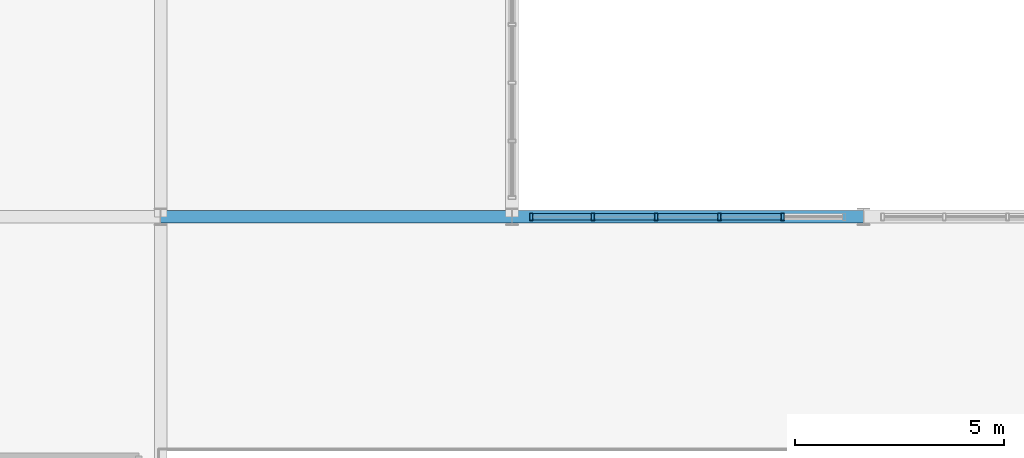
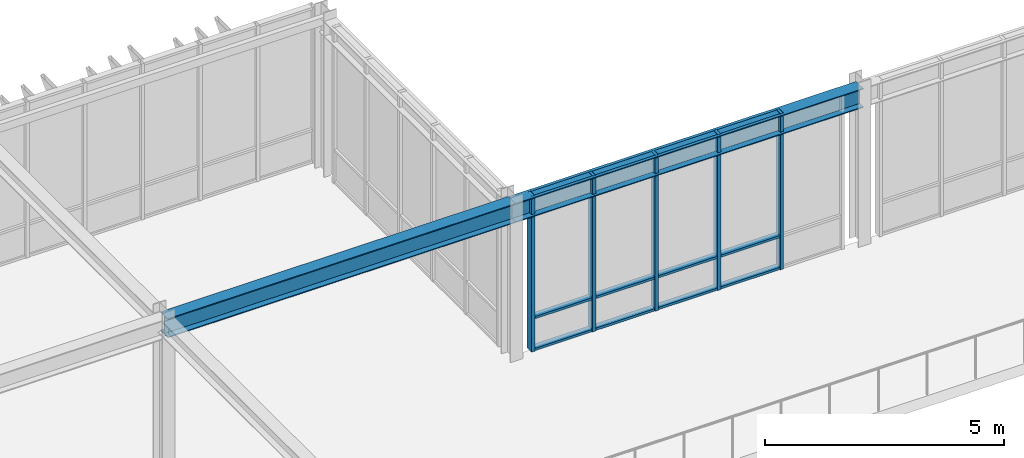
# One storey, part 44 of 123: 17 members, 2 beams, 1 element without a shape of its own.
"""IFC4 building model written with IfcOpenShell, lengths in metres."""

from ifc_helpers import new_model, si_unit, direction, frame, origin, origin_2d, place, context, subcontext, project, spatial, hollow_rectangle, i_section, extrude, material, layer, layer_set, material_profile, profile_set, type_object, element, aggregate, save


model = new_model("IFC4")

# Units and contexts
model_context = context("Model", 3, precision=1e-05, world=origin(), true_north=direction((0.0, 1.0)))
body_context = subcontext(model_context, "Body", "Model", "MODEL_VIEW")
ifc_project = project(units=[si_unit("LENGTHUNIT", "METRE"), si_unit("AREAUNIT", "SQUARE_METRE"), si_unit("VOLUMEUNIT", "CUBIC_METRE"), si_unit("PLANEANGLEUNIT", "RADIAN"), si_unit("MASSUNIT", "GRAM", prefix="KILO")], contexts=[model_context])

# Site, building, storey
site_placement = place(None, origin())
site = spatial("IfcSite", under=ifc_project, at=site_placement, CompositionType="ELEMENT")
building_placement = place(site_placement, origin())
building = spatial("IfcBuilding", under=site, at=building_placement, Name="Zayran Congress Hotel", CompositionType="ELEMENT")
storey_placement = place(building_placement, frame((0.0, 0.0, 15.0)))
storey = spatial("IfcBuildingStorey", under=building, at=storey_placement, Name="L03", CompositionType="ELEMENT", Elevation=15.0)

# Beams
ifc_material_1 = material(Name="Steel S355", Category="steel")
ifc_material_profile_1 = material_profile(ifc_material_1, i_section(OverallWidth=0.300048828125, OverallDepth=0.489990234375, WebThickness=0.011962890625, FlangeThickness=0.02294921875, at=origin_2d()), Name="HEA 500")
ifc_profile_set_1 = profile_set([ifc_material_profile_1], Name="Steel S355")
beam_type = type_object("IfcBeamType", Name="TP-BM-05", PredefinedType="BEAM", material=ifc_profile_set_1)
beam_1_placement = place(storey_placement, frame((25.199951171875, 109.60009765625, 3.735107421875), z_axis=(1.0, 0.0, 0.0), x_axis=(0.0, 1.0, 0.0)))
element("IfcBeam", 1, at=beam_1_placement, inside=storey, type_object=beam_type, Name="BM-V1-L03-0831", PredefinedType="BEAM", context=body_context, shape_type="SweptSolid", body=[
    extrude(i_section(OverallWidth=0.300048828125, OverallDepth=0.489990234375, WebThickness=0.011962890625, FlangeThickness=0.02294921875, at=origin_2d()), origin(), (0.0, 0.0, 1.0), 8.400146484375),
])
beam_2_placement = place(storey_placement, frame((33.60009765625, 109.60009765625, 3.735107421875), z_axis=(1.0, 0.0, 0.0), x_axis=(0.0, 1.0, 0.0)))
element("IfcBeam", 2, at=beam_2_placement, inside=storey, type_object=beam_type, Name="BM-V1-L03-0832", PredefinedType="BEAM", context=body_context, shape_type="SweptSolid", body=[
    extrude(i_section(OverallWidth=0.300048828125, OverallDepth=0.489990234375, WebThickness=0.011962890625, FlangeThickness=0.02294921875, at=origin_2d()), origin(), (0.0, 0.0, 1.0), 8.39990234375),
])

# Curtain wall, members
ifc_material_2 = material(Name="Anodised aluminium and low-E insulated glass", Category="aluminium")
ifc_layer = layer(ifc_material_2, 0.179931640625)
ifc_layer_set = layer_set([ifc_layer], Name="Anodised aluminium and low-E insulated glass")
curtain_wall_type = type_object("IfcCurtainWallType", Name="CW-V1NF-L03-CW-21-7560-3980", PredefinedType="USERDEFINED", material=ifc_layer_set)
curtain_wall_placement = place(storey_placement, origin())
curtain_wall = element("IfcCurtainWall", 3, at=curtain_wall_placement, inside=storey, type_object=curtain_wall_type, Name="CW-V1NF-L03-3", ObjectType="CURTAIN WALL", PredefinedType="USERDEFINED")
ifc_material_3 = material(Name="Anodised aluminium framing", Category="aluminium")
ifc_material_profile_2 = material_profile(ifc_material_3, hollow_rectangle(XDim=0.080078125, YDim=0.179931640625, WallThickness=0.0048828125, at=origin_2d()), Name="RHS 180x80x5")
ifc_profile_set_2 = profile_set([ifc_material_profile_2], Name="Anodised aluminium framing")
member_type_1 = type_object("IfcMemberType", Name="TP-CWM-01", PredefinedType="MULLION", material=ifc_profile_set_2)
member_1_placement = place(storey_placement, frame((40.068115234375, 109.60009765625, 0.0), z_axis=(0.0, 0.0, 1.0), x_axis=(1.0, 0.0, 0.0)))
member_1 = element("IfcMember", 4, at=member_1_placement, type_object=member_type_1, Name="CW-V1NF-L03-3-M01", PredefinedType="MULLION", context=body_context, shape_type="SweptSolid", body=[
    extrude(hollow_rectangle(XDim=0.080078125, YDim=0.179931640625, WallThickness=0.0048828125, at=origin_2d()), origin(), (0.0, 0.0, 1.0), 3.97998046875),
])
member_2_placement = place(storey_placement, frame((38.555908203125, 109.60009765625, 0.0), z_axis=(0.0, 0.0, 1.0), x_axis=(1.0, 0.0, 0.0)))
member_2 = element("IfcMember", 5, at=member_2_placement, type_object=member_type_1, Name="CW-V1NF-L03-3-M02", PredefinedType="MULLION", context=body_context, shape_type="SweptSolid", body=[
    extrude(hollow_rectangle(XDim=0.080078125, YDim=0.179931640625, WallThickness=0.0048828125, at=origin_2d()), origin(), (0.0, 0.0, 1.0), 3.97998046875),
])
member_3_placement = place(storey_placement, frame((37.0439453125, 109.60009765625, 0.0), z_axis=(0.0, 0.0, 1.0), x_axis=(1.0, 0.0, 0.0)))
member_3 = element("IfcMember", 6, at=member_3_placement, type_object=member_type_1, Name="CW-V1NF-L03-3-M03", PredefinedType="MULLION", context=body_context, shape_type="SweptSolid", body=[
    extrude(hollow_rectangle(XDim=0.080078125, YDim=0.179931640625, WallThickness=0.0048828125, at=origin_2d()), origin(), (0.0, 0.0, 1.0), 3.97998046875),
])
member_4_placement = place(storey_placement, frame((35.531982421875, 109.60009765625, 0.0), z_axis=(0.0, 0.0, 1.0), x_axis=(1.0, 0.0, 0.0)))
member_4 = element("IfcMember", 7, at=member_4_placement, type_object=member_type_1, Name="CW-V1NF-L03-3-M04", PredefinedType="MULLION", context=body_context, shape_type="SweptSolid", body=[
    extrude(hollow_rectangle(XDim=0.080078125, YDim=0.179931640625, WallThickness=0.0048828125, at=origin_2d()), origin(), (0.0, 0.0, 1.0), 3.97998046875),
])
member_5_placement = place(storey_placement, frame((34.06005859375, 109.60009765625, 0.0), z_axis=(0.0, 0.0, 1.0), x_axis=(1.0, 0.0, 0.0)))
member_5 = element("IfcMember", 8, at=member_5_placement, type_object=member_type_1, Name="CW-V1NF-L03-3-M05", PredefinedType="MULLION", context=body_context, shape_type="SweptSolid", body=[
    extrude(hollow_rectangle(XDim=0.080078125, YDim=0.179931640625, WallThickness=0.0048828125, at=origin_2d()), origin(), (0.0, 0.0, 1.0), 3.97998046875),
])
ifc_material_profile_3 = material_profile(ifc_material_3, hollow_rectangle(XDim=0.06005859375, YDim=0.14990234375, WallThickness=0.00390625, at=origin_2d()), Name="RHS 150x60x4")
ifc_profile_set_3 = profile_set([ifc_material_profile_3], Name="Anodised aluminium framing")
member_type_2 = type_object("IfcMemberType", Name="TP-CWT-01", PredefinedType="USERDEFINED", material=ifc_profile_set_3)
member_6_placement = place(storey_placement, frame((40.028076171875, 109.60009765625, 0.030029296875), z_axis=(-1.0, 0.0, 0.0), x_axis=(0.0, 0.0, 1.0)))
member_6 = element("IfcMember", 9, at=member_6_placement, type_object=member_type_2, Name="CW-V1NF-L03-3-T01-0", ObjectType="TRANSOM", PredefinedType="USERDEFINED", context=body_context, shape_type="SweptSolid", body=[
    extrude(hollow_rectangle(XDim=0.06005859375, YDim=0.14990234375, WallThickness=0.00390625, at=origin_2d()), origin(), (0.0, 0.0, 1.0), 1.43212890625),
])
member_7_placement = place(storey_placement, frame((40.028076171875, 109.60009765625, 0.840087890625), z_axis=(-1.0, 0.0, 0.0), x_axis=(0.0, 0.0, 1.0)))
member_7 = element("IfcMember", 10, at=member_7_placement, type_object=member_type_2, Name="CW-V1NF-L03-3-T01-1", ObjectType="TRANSOM", PredefinedType="USERDEFINED", context=body_context, shape_type="SweptSolid", body=[
    extrude(hollow_rectangle(XDim=0.06005859375, YDim=0.14990234375, WallThickness=0.00390625, at=origin_2d()), origin(), (0.0, 0.0, 1.0), 1.43212890625),
])
member_8_placement = place(storey_placement, frame((40.028076171875, 109.60009765625, 3.949951171875), z_axis=(-1.0, 0.0, 0.0), x_axis=(0.0, 0.0, 1.0)))
member_8 = element("IfcMember", 11, at=member_8_placement, type_object=member_type_2, Name="CW-V1NF-L03-3-T01-2", ObjectType="TRANSOM", PredefinedType="USERDEFINED", context=body_context, shape_type="SweptSolid", body=[
    extrude(hollow_rectangle(XDim=0.06005859375, YDim=0.14990234375, WallThickness=0.00390625, at=origin_2d()), origin(), (0.0, 0.0, 1.0), 1.43212890625),
])
member_9_placement = place(storey_placement, frame((38.51611328125, 109.60009765625, 0.030029296875), z_axis=(-1.0, 0.0, 0.0), x_axis=(0.0, 0.0, 1.0)))
member_9 = element("IfcMember", 12, at=member_9_placement, type_object=member_type_2, Name="CW-V1NF-L03-3-T02-0", ObjectType="TRANSOM", PredefinedType="USERDEFINED", context=body_context, shape_type="SweptSolid", body=[
    extrude(hollow_rectangle(XDim=0.06005859375, YDim=0.14990234375, WallThickness=0.00390625, at=origin_2d()), origin(), (0.0, 0.0, 1.0), 1.43212890625),
])
member_10_placement = place(storey_placement, frame((38.51611328125, 109.60009765625, 0.840087890625), z_axis=(-1.0, 0.0, 0.0), x_axis=(0.0, 0.0, 1.0)))
member_10 = element("IfcMember", 13, at=member_10_placement, type_object=member_type_2, Name="CW-V1NF-L03-3-T02-1", ObjectType="TRANSOM", PredefinedType="USERDEFINED", context=body_context, shape_type="SweptSolid", body=[
    extrude(hollow_rectangle(XDim=0.06005859375, YDim=0.14990234375, WallThickness=0.00390625, at=origin_2d()), origin(), (0.0, 0.0, 1.0), 1.43212890625),
])
member_11_placement = place(storey_placement, frame((38.51611328125, 109.60009765625, 3.949951171875), z_axis=(-1.0, 0.0, 0.0), x_axis=(0.0, 0.0, 1.0)))
member_11 = element("IfcMember", 14, at=member_11_placement, type_object=member_type_2, Name="CW-V1NF-L03-3-T02-2", ObjectType="TRANSOM", PredefinedType="USERDEFINED", context=body_context, shape_type="SweptSolid", body=[
    extrude(hollow_rectangle(XDim=0.06005859375, YDim=0.14990234375, WallThickness=0.00390625, at=origin_2d()), origin(), (0.0, 0.0, 1.0), 1.43212890625),
])
member_12_placement = place(storey_placement, frame((37.00390625, 109.60009765625, 0.030029296875), z_axis=(-1.0, 0.0, 0.0), x_axis=(0.0, 0.0, 1.0)))
member_12 = element("IfcMember", 15, at=member_12_placement, type_object=member_type_2, Name="CW-V1NF-L03-3-T03-0", ObjectType="TRANSOM", PredefinedType="USERDEFINED", context=body_context, shape_type="SweptSolid", body=[
    extrude(hollow_rectangle(XDim=0.06005859375, YDim=0.14990234375, WallThickness=0.00390625, at=origin_2d()), origin(), (0.0, 0.0, 1.0), 1.431884765625),
])
member_13_placement = place(storey_placement, frame((37.00390625, 109.60009765625, 0.840087890625), z_axis=(-1.0, 0.0, 0.0), x_axis=(0.0, 0.0, 1.0)))
member_13 = element("IfcMember", 16, at=member_13_placement, type_object=member_type_2, Name="CW-V1NF-L03-3-T03-1", ObjectType="TRANSOM", PredefinedType="USERDEFINED", context=body_context, shape_type="SweptSolid", body=[
    extrude(hollow_rectangle(XDim=0.06005859375, YDim=0.14990234375, WallThickness=0.00390625, at=origin_2d()), origin(), (0.0, 0.0, 1.0), 1.431884765625),
])
member_14_placement = place(storey_placement, frame((37.00390625, 109.60009765625, 3.949951171875), z_axis=(-1.0, 0.0, 0.0), x_axis=(0.0, 0.0, 1.0)))
member_14 = element("IfcMember", 17, at=member_14_placement, type_object=member_type_2, Name="CW-V1NF-L03-3-T03-2", ObjectType="TRANSOM", PredefinedType="USERDEFINED", context=body_context, shape_type="SweptSolid", body=[
    extrude(hollow_rectangle(XDim=0.06005859375, YDim=0.14990234375, WallThickness=0.00390625, at=origin_2d()), origin(), (0.0, 0.0, 1.0), 1.431884765625),
])
member_15_placement = place(storey_placement, frame((35.491943359375, 109.60009765625, 0.030029296875), z_axis=(-1.0, 0.0, 0.0), x_axis=(0.0, 0.0, 1.0)))
member_15 = element("IfcMember", 18, at=member_15_placement, type_object=member_type_2, Name="CW-V1NF-L03-3-T04-0", ObjectType="TRANSOM", PredefinedType="USERDEFINED", context=body_context, shape_type="SweptSolid", body=[
    extrude(hollow_rectangle(XDim=0.06005859375, YDim=0.14990234375, WallThickness=0.00390625, at=origin_2d()), origin(), (0.0, 0.0, 1.0), 1.391845703125),
])
member_16_placement = place(storey_placement, frame((35.491943359375, 109.60009765625, 0.840087890625), z_axis=(-1.0, 0.0, 0.0), x_axis=(0.0, 0.0, 1.0)))
member_16 = element("IfcMember", 19, at=member_16_placement, type_object=member_type_2, Name="CW-V1NF-L03-3-T04-1", ObjectType="TRANSOM", PredefinedType="USERDEFINED", context=body_context, shape_type="SweptSolid", body=[
    extrude(hollow_rectangle(XDim=0.06005859375, YDim=0.14990234375, WallThickness=0.00390625, at=origin_2d()), origin(), (0.0, 0.0, 1.0), 1.391845703125),
])
member_17_placement = place(storey_placement, frame((35.491943359375, 109.60009765625, 3.949951171875), z_axis=(-1.0, 0.0, 0.0), x_axis=(0.0, 0.0, 1.0)))
member_17 = element("IfcMember", 20, at=member_17_placement, type_object=member_type_2, Name="CW-V1NF-L03-3-T04-2", ObjectType="TRANSOM", PredefinedType="USERDEFINED", context=body_context, shape_type="SweptSolid", body=[
    extrude(hollow_rectangle(XDim=0.06005859375, YDim=0.14990234375, WallThickness=0.00390625, at=origin_2d()), origin(), (0.0, 0.0, 1.0), 1.391845703125),
])
aggregate(curtain_wall, [member_1, member_2, member_3, member_4, member_5, member_6, member_7, member_8, member_9, member_10, member_11, member_12, member_13, member_14, member_15, member_16, member_17])

save(model, "model.ifc")
